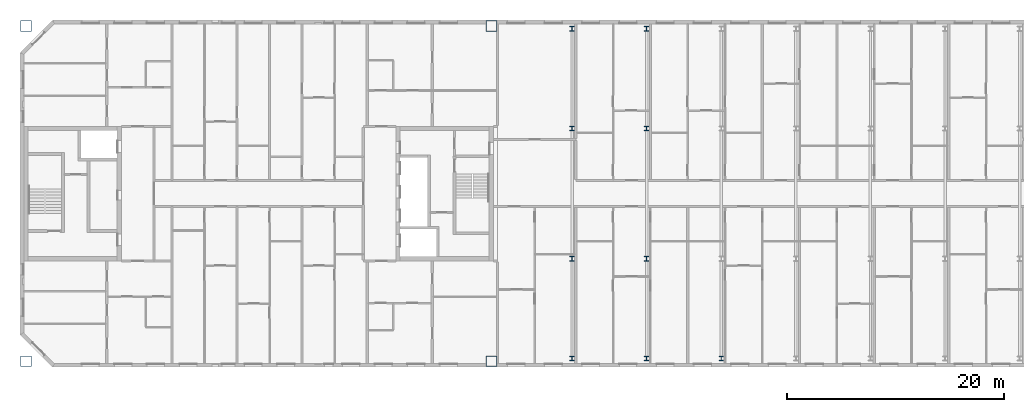
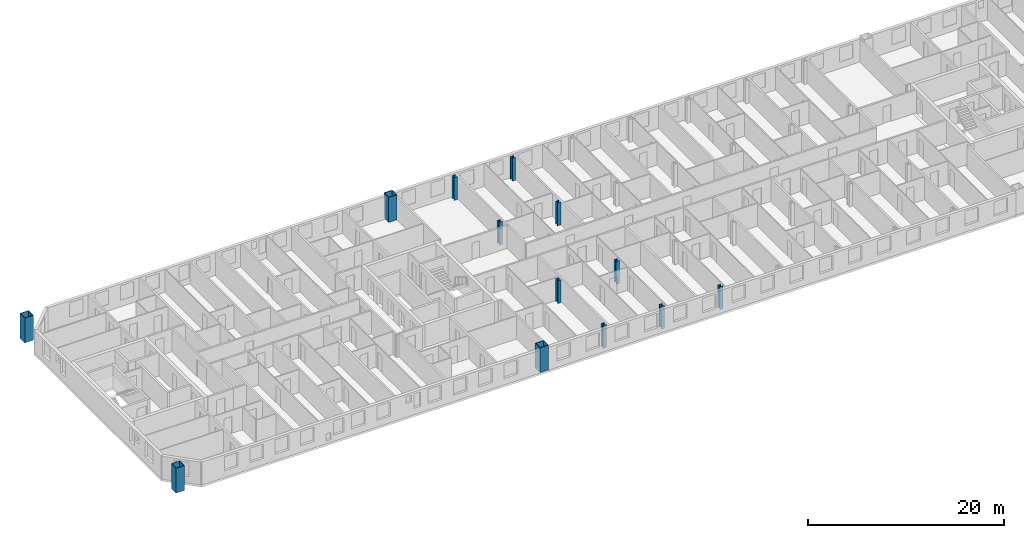
# One storey, part 1 of 19: 13 columns.
"""IFC4 building model written with IfcOpenShell, lengths in metres."""

from ifc_helpers import new_model, si_unit, direction, frame, origin, origin_2d, place, context, subcontext, project, spatial, hollow_rectangle, i_section, extrude, material, material_profile, profile_set, type_object, element, save


model = new_model("IFC4")

# Units and contexts
model_context = context("Model", 3, precision=1e-05, world=origin(), true_north=direction((0.0, 1.0)))
body_context = subcontext(model_context, "Body", "Model", "MODEL_VIEW")
ifc_project = project(units=[si_unit("LENGTHUNIT", "METRE"), si_unit("AREAUNIT", "SQUARE_METRE"), si_unit("VOLUMEUNIT", "CUBIC_METRE"), si_unit("PLANEANGLEUNIT", "RADIAN"), si_unit("MASSUNIT", "GRAM", prefix="KILO")], contexts=[model_context])

# Site, building, storey
site_placement = place(None, origin())
site = spatial("IfcSite", under=ifc_project, at=site_placement, CompositionType="ELEMENT")
building_placement = place(site_placement, origin())
building = spatial("IfcBuilding", under=site, at=building_placement, Name="Tuart Gate Housing", CompositionType="ELEMENT")
storey_placement = place(building_placement, frame((0.0, 0.0, 227.60009765625)))
storey = spatial("IfcBuildingStorey", under=building, at=storey_placement, Name="L64", CompositionType="ELEMENT", Elevation=227.60009765625)

# Columns
ifc_material_1 = material(Name="Steel Grade 350", Category="steel")
ifc_material_profile_1 = material_profile(ifc_material_1, i_section(OverallWidth=0.39990234375, OverallDepth=0.429931640625, WebThickness=0.0400390625, FlangeThickness=0.0400390625, at=origin_2d()), Name="400WC361")
ifc_profile_set_1 = profile_set([ifc_material_profile_1], Name="Steel Grade 350")
column_type_1 = type_object("IfcColumnType", Name="Link column 400 WC361", PredefinedType="COLUMN", material=ifc_profile_set_1)
for number, where, z_axis, x_axis, name in (
    (1, (82.875, 54.800048828125, 0.0), (0.0, 0.0, 1.0), (1.0, 0.0, 0.0), "Link column line 1 point 1 L64"),
    (2, (89.75, 54.800048828125, 0.0), (0.0, 0.0, 1.0), (1.0, 0.0, 0.0), "Link column line 1 point 2 L64"),
    (3, (96.625, 54.800048828125, 0.0), (0.0, 0.0, 1.0), (1.0, 0.0, 0.0), "Link column line 1 point 3 L64"),
    (4, (82.875, 64.0, 0.0), (0.0, 0.0, 1.0), (1.0, 0.0, 0.0), "Link column line 2 point 1 L64"),
    (5, (89.75, 64.0, 0.0), (0.0, 0.0, 1.0), (1.0, 0.0, 0.0), "Link column line 2 point 2 L64"),
    (6, (82.875, 76.0, 0.0), (0.0, 0.0, 1.0), (1.0, 0.0, 0.0), "Link column line 3 point 1 L64"),
    (7, (89.75, 76.0, 0.0), (0.0, 0.0, 1.0), (1.0, 0.0, 0.0), "Link column line 3 point 2 L64"),
    (8, (82.875, 85.199951171875, 0.0), (0.0, 0.0, 1.0), (1.0, 0.0, 0.0), "Link column line 4 point 1 L64"),
    (9, (89.75, 85.199951171875, 0.0), (0.0, 0.0, 1.0), (1.0, 0.0, 0.0), "Link column line 4 point 2 L64"),
):
    element("IfcColumn", number, at=place(storey_placement, frame(where, z_axis=z_axis, x_axis=x_axis)), inside=storey, type_object=column_type_1, Name=name, PredefinedType="COLUMN", context=body_context, shape_type="SweptSolid", body=[
        extrude(i_section(OverallWidth=0.39990234375, OverallDepth=0.429931640625, WebThickness=0.0400390625, FlangeThickness=0.0400390625, at=origin_2d()), origin(), (0.0, 0.0, 1.0), 2.849853515625),
    ])
ifc_material_2 = material(Name="Steel Grade 350", Category="steel")
ifc_material_profile_2 = material_profile(ifc_material_2, hollow_rectangle(XDim=1.0, YDim=1.0, WallThickness=0.054931640625, at=origin_2d()), Name="BOX 1000x1000x55")
ifc_profile_set_2 = profile_set([ifc_material_profile_2], Name="Steel Grade 350")
column_type_2 = type_object("IfcColumnType", Name="Mega column BOX 1000x1000x55", PredefinedType="COLUMN", material=ifc_profile_set_2)
for number, where, z_axis, x_axis, name in (
    (10, (32.550048828125, 54.550048828125, 0.0), (0.0, 0.0, 1.0), (1.0, 0.0, 0.0), "Mega column A south-west L64"),
    (11, (75.449951171875, 54.550048828125, 0.0), (0.0, 0.0, 1.0), (1.0, 0.0, 0.0), "Mega column A south-east L64"),
    (12, (75.449951171875, 85.449951171875, 0.0), (0.0, 0.0, 1.0), (1.0, 0.0, 0.0), "Mega column A north-east L64"),
    (13, (32.550048828125, 85.449951171875, 0.0), (0.0, 0.0, 1.0), (1.0, 0.0, 0.0), "Mega column A north-west L64"),
):
    element("IfcColumn", number, at=place(storey_placement, frame(where, z_axis=z_axis, x_axis=x_axis)), inside=storey, type_object=column_type_2, Name=name, PredefinedType="COLUMN", context=body_context, shape_type="SweptSolid", body=[
        extrude(hollow_rectangle(XDim=1.0, YDim=1.0, WallThickness=0.054931640625, at=origin_2d()), origin(), (0.0, 0.0, 1.0), 3.099853515625),
    ])

save(model, "model.ifc")
